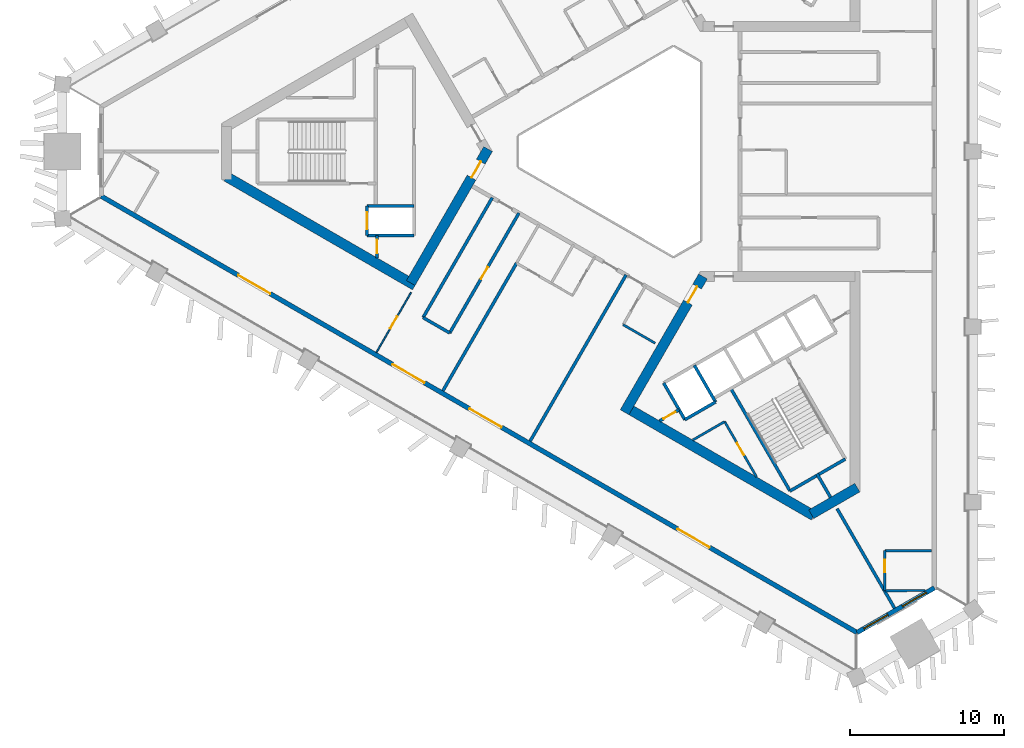
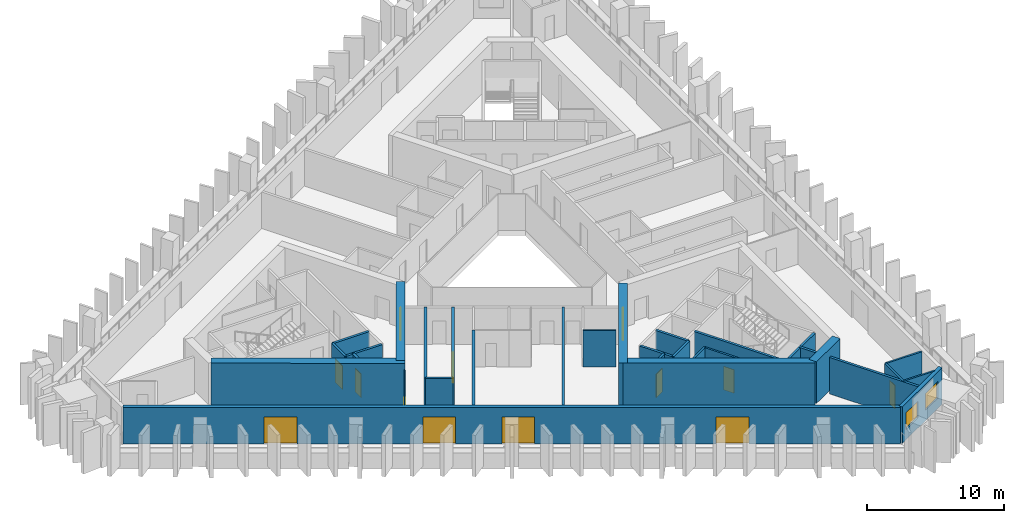
# One storey, part 2 of 10: 31 walls, 13 doors, 2 windows, 15 openings.
"""IFC4 building model written with IfcOpenShell, lengths in metres."""

from ifc_helpers import new_model, si_unit, direction, frame, frame_2d, origin, place, context, subcontext, project, spatial, rectangle, extrude, material, layer, layer_set, type_object, element, fill, save


model = new_model("IFC4")

# Units and contexts
model_context = context("Model", 3, precision=1e-05, world=origin(), true_north=direction((0.0, 1.0)))
body_context = subcontext(model_context, "Body", "Model", "MODEL_VIEW")
ifc_project = project(units=[si_unit("LENGTHUNIT", "METRE"), si_unit("AREAUNIT", "SQUARE_METRE"), si_unit("VOLUMEUNIT", "CUBIC_METRE"), si_unit("PLANEANGLEUNIT", "RADIAN"), si_unit("MASSUNIT", "GRAM", prefix="KILO")], contexts=[model_context])

# Site, building, storey
site_placement = place(None, origin())
site = spatial("IfcSite", under=ifc_project, at=site_placement, CompositionType="ELEMENT")
building_placement = place(site_placement, origin())
building = spatial("IfcBuilding", under=site, at=building_placement, Name="Jabali Bay Hotel Tower and Convention Centre", CompositionType="ELEMENT")
storey_placement = place(building_placement, frame((0.0, 0.0, 117.89990234375)))
storey = spatial("IfcBuildingStorey", under=building, at=storey_placement, Name="L28", CompositionType="ELEMENT", Elevation=117.89990234375)

# Wall, opening, door
ifc_material_1 = material(Name="Concrete C40", Category="concrete")
ifc_layer_1 = layer(ifc_material_1, 0.199951171875)
ifc_layer_set_1 = layer_set([ifc_layer_1], Name="Concrete C40")
wall_type_1 = type_object("IfcWallType", Name="Core partition wall 200", PredefinedType="PARTITIONING", material=ifc_layer_set_1)
wall_1_placement = place(storey_placement, frame((58.5, 74.550048828125, 0.0), z_axis=(0.0, 0.0, 1.0), x_axis=(0.0, -1.0, 0.0)))
wall_1 = element("IfcWall", 1, at=wall_1_placement, inside=storey, type_object=wall_type_1, Name="Core wall 0.9 L28", PredefinedType="PARTITIONING", context=body_context, shape_type="SweptSolid", body=[
    extrude(rectangle(XDim=1.455078125, YDim=0.199951171875, at=frame_2d((0.7275390625, 0.0))), origin(), (0.0, 0.0, 1.0), 3.25),
])
opening_1_placement = place(wall_1_placement, frame((0.277587890625, 0.0, 0.0)))
opening_1 = element("IfcOpeningElement", 2, at=opening_1_placement, cuts=wall_1, Name="Opening D624", PredefinedType="OPENING", context=body_context, shape_type="SweptSolid", body=[
    extrude(rectangle(XDim=0.89990234375, YDim=2.10009765625, at=frame_2d((0.449951171875, 1.050048828125))), frame((0.0, 0.1103515625, 0.0), z_axis=(0.0, -1.0, 0.0), x_axis=(1.0, 0.0, 0.0)), (0.0, 0.0, 1.0), 0.220947265625),
])
ifc_material_2 = material(Name="Fire-rated steel door", Category="steel")
door_type_1 = type_object("IfcDoorType", Name="Vestibule fire door 900 x 2100", OperationType="NOTDEFINED", PredefinedType="NOTDEFINED", material=ifc_material_2)
door_1_placement = place(opening_1_placement, origin())
door_1 = element("IfcDoor", 3, at=door_1_placement, inside=storey, type_object=door_type_1, Name="Vestibule fire door D624", OperationType="SINGLE_SWING_LEFT", OverallHeight=2.10009765625, OverallWidth=0.89990234375, PredefinedType="NOTDEFINED", context=body_context, shape_type="SweptSolid", body=[
    extrude(rectangle(XDim=0.89990234375, YDim=2.10009765625, at=frame_2d((0.449951171875, 1.050048828125))), frame((0.0, 0.02490234375, 0.0), z_axis=(0.0, -1.0, 0.0), x_axis=(1.0, 0.0, 0.0)), (0.0, 0.0, 1.0), 0.050048828125),
])
fill(opening_1, door_1)

# Wall
wall_2_placement = place(storey_placement, frame((87.090087890625, 59.0595703125, 0.0), z_axis=(0.0, 0.0, 1.0), x_axis=(0.499944938281, -0.866057191349, 0.0)))
element("IfcWall", 4, at=wall_2_placement, inside=storey, type_object=wall_type_1, Name="Core wall 2.5 L28", PredefinedType="PARTITIONING", context=body_context, shape_type="SweptSolid", body=[
    extrude(rectangle(XDim=1.773193359375, YDim=0.199951171875, at=frame_2d((0.88671875, 0.0))), origin(), (0.0, 0.0, 1.0), 3.25),
])

# Wall, opening, door
wall_3_placement = place(storey_placement, frame((76.869873046875, 62.489013671875, 0.0), z_axis=(0.0, 0.0, 1.0), x_axis=(0.866054810376, 0.49994906283, 0.0)))
wall_3 = element("IfcWall", 5, at=wall_3_placement, inside=storey, type_object=wall_type_1, Name="Core wall 2.11 L28", PredefinedType="PARTITIONING", context=body_context, shape_type="SweptSolid", body=[
    extrude(rectangle(XDim=1.461181640625, YDim=0.199951171875, at=frame_2d((0.73046875, 0.0))), origin(), (0.0, 0.0, 1.0), 3.25),
])
opening_2_placement = place(wall_3_placement, frame((0.280517578125, 0.0, 0.0)))
opening_2 = element("IfcOpeningElement", 6, at=opening_2_placement, cuts=wall_3, Name="Opening D637", PredefinedType="OPENING", context=body_context, shape_type="SweptSolid", body=[
    extrude(rectangle(XDim=0.89990234375, YDim=2.10009765625, at=frame_2d((0.449951171875, 1.050048828125))), frame((0.0, 0.1103515625, 0.0), z_axis=(0.0, -1.0, 0.0), x_axis=(1.0, 0.0, 0.0)), (0.0, 0.0, 1.0), 0.220947265625),
])
door_2_placement = place(opening_2_placement, origin())
door_2 = element("IfcDoor", 7, at=door_2_placement, inside=storey, type_object=door_type_1, Name="Vestibule fire door D637", OperationType="SINGLE_SWING_LEFT", OverallHeight=2.10009765625, OverallWidth=0.89990234375, PredefinedType="NOTDEFINED", context=body_context, shape_type="SweptSolid", body=[
    extrude(rectangle(XDim=0.89990234375, YDim=2.10009765625, at=frame_2d((0.449951171875, 1.050048828125))), frame((0.0, 0.02490234375, 0.0), z_axis=(0.0, -1.0, 0.0), x_axis=(1.0, 0.0, 0.0)), (0.0, 0.0, 1.0), 0.050048828125),
])
fill(opening_2, door_2)

ifc_material_3 = material(Name="Fire-rated board partition")
ifc_layer_2 = layer(ifc_material_3, 0.14990234375)
ifc_layer_set_2 = layer_set([ifc_layer_2], Name="Fire-rated board partition")
wall_type_2 = type_object("IfcWallType", Name="Core room partition 150", PredefinedType="PARTITIONING", material=ifc_layer_set_2)
wall_4_placement = place(storey_placement, frame((81.093994140625, 62.445068359375, 0.0), z_axis=(0.0, 0.0, 1.0), x_axis=(0.499975520016, -0.866039536849, 0.0)))
wall_4 = element("IfcWall", 8, at=wall_4_placement, inside=storey, type_object=wall_type_2, Name="Core wall 2.1 L28", PredefinedType="PARTITIONING", context=body_context, shape_type="SweptSolid", body=[
    extrude(rectangle(XDim=4.147705078125, YDim=0.14990234375, at=frame_2d((2.07373046875, 0.0))), origin(), (0.0, 0.0, 1.0), 3.25),
])
opening_3_placement = place(wall_4_placement, frame((1.596435546875, 0.0, 0.0)))
opening_3 = element("IfcOpeningElement", 9, at=opening_3_placement, cuts=wall_4, Name="Opening D639", PredefinedType="OPENING", context=body_context, shape_type="SweptSolid", body=[
    extrude(rectangle(XDim=0.89990234375, YDim=2.10009765625, at=frame_2d((0.449951171875, 1.050048828125))), frame((0.0, 0.08544921875, 0.0), z_axis=(0.0, -1.0, 0.0), x_axis=(1.0, 0.0, 0.0)), (0.0, 0.0, 1.0), 0.1708984375),
])
door_type_2 = type_object("IfcDoorType", Name="Core room door 900 x 2100", OperationType="NOTDEFINED", PredefinedType="NOTDEFINED", material=ifc_material_2)
door_3_placement = place(opening_3_placement, origin())
door_3 = element("IfcDoor", 10, at=door_3_placement, inside=storey, type_object=door_type_2, Name="Core room door D639", OperationType="SINGLE_SWING_LEFT", OverallHeight=2.10009765625, OverallWidth=0.89990234375, PredefinedType="NOTDEFINED", context=body_context, shape_type="SweptSolid", body=[
    extrude(rectangle(XDim=0.89990234375, YDim=2.10009765625, at=frame_2d((0.449951171875, 1.050048828125))), frame((0.0, 0.02490234375, 0.0), z_axis=(0.0, -1.0, 0.0), x_axis=(1.0, 0.0, 0.0)), (0.0, 0.0, 1.0), 0.050048828125),
])
fill(opening_3, door_3)

# Walls
wall_5_placement = place(storey_placement, frame((79.02001953125, 61.247802734375, 0.0), z_axis=(0.0, 0.0, 1.0), x_axis=(0.866051471819, 0.499954846121, 0.0)))
element("IfcWall", 11, at=wall_5_placement, inside=storey, type_object=wall_type_2, Name="Core wall 2.16 L28", PredefinedType="PARTITIONING", context=body_context, shape_type="SweptSolid", body=[
    extrude(rectangle(XDim=2.394775390625, YDim=0.14990234375, at=frame_2d((1.197265625, 0.0))), origin(), (0.0, 0.0, 1.0), 3.25),
])
ifc_layer_3 = layer(ifc_material_1, 0.199951171875)
ifc_layer_set_3 = layer_set([ifc_layer_3], Name="Concrete C40")
wall_type_3 = type_object("IfcWallType", Name="Core stair wall 200", PredefinedType="SOLIDWALL", material=ifc_layer_set_3)
for number, where, z_axis, x_axis, name in (
    (12, (60.89990234375, 76.449951171875, 0.0), (0.0, 0.0, 1.0), (-1.0, 0.0, 0.0), "Core wall 0.5 L28"),
    (13, (60.89990234375, 74.550048828125, 0.0), (0.0, 0.0, 1.0), (-1.0, 0.0, 0.0), "Core wall 0.6 L28"),
):
    element("IfcWall", number, at=place(storey_placement, frame(where, z_axis=z_axis, x_axis=x_axis)), inside=storey, type_object=wall_type_3, Name=name, PredefinedType="SOLIDWALL", context=body_context, shape_type="SweptSolid", body=[
        extrude(rectangle(XDim=3.0498046875, YDim=0.199951171875, at=frame_2d((1.52490234375, 0.0))), origin(), (0.0, 0.0, 1.0), 3.25),
    ])

# Wall, opening, door
wall_6_placement = place(storey_placement, frame((57.85009765625, 76.449951171875, 0.0), z_axis=(0.0, 0.0, 1.0), x_axis=(0.0, -1.0, 0.0)))
wall_6 = element("IfcWall", 14, at=wall_6_placement, inside=storey, type_object=wall_type_3, Name="Core wall 0.11 L28", PredefinedType="SOLIDWALL", context=body_context, shape_type="SweptSolid", body=[
    extrude(rectangle(XDim=1.89990234375, YDim=0.199951171875, at=frame_2d((0.949951171875, 0.0))), origin(), (0.0, 0.0, 1.0), 3.25),
])
opening_4_placement = place(wall_6_placement, frame((0.39990234375, 0.0, 0.0)))
opening_4 = element("IfcOpeningElement", 15, at=opening_4_placement, cuts=wall_6, Name="Opening LD5-L28", PredefinedType="OPENING", context=body_context, shape_type="SweptSolid", body=[
    extrude(rectangle(XDim=1.10009765625, YDim=2.10009765625, at=frame_2d((0.550048828125, 1.050048828125))), frame((0.0, 0.1103515625, 0.0), z_axis=(0.0, -1.0, 0.0), x_axis=(1.0, 0.0, 0.0)), (0.0, 0.0, 1.0), 0.220947265625),
])
ifc_material_4 = material(Name="Stainless steel landing door", Category="steel")
door_type_3 = type_object("IfcDoorType", Name="Landing door 1100 x 2100", OperationType="NOTDEFINED", PredefinedType="NOTDEFINED", material=ifc_material_4)
door_4_placement = place(opening_4_placement, origin())
door_4 = element("IfcDoor", 16, at=door_4_placement, inside=storey, type_object=door_type_3, Name="Landing doors LD5-L28", OperationType="SLIDING_TO_RIGHT", OverallHeight=2.10009765625, OverallWidth=1.10009765625, PredefinedType="NOTDEFINED", context=body_context, shape_type="SweptSolid", body=[
    extrude(rectangle(XDim=1.10009765625, YDim=2.10009765625, at=frame_2d((0.550048828125, 1.050048828125))), frame((0.0, 0.02490234375, 0.0), z_axis=(0.0, -1.0, 0.0), x_axis=(1.0, 0.0, 0.0)), (0.0, 0.0, 1.0), 0.050048828125),
])
fill(opening_4, door_4)

# Walls
for number, where, z_axis, x_axis, name in (
    (17, (77.13525390625, 64.95166015625, 0.0), (0.0, 0.0, 1.0), (0.499996545922, -0.866027397988, 0.0), "Core wall 2.0 L28"),
    (18, (79.127197265625, 66.1015625, 0.0), (0.0, 0.0, 1.0), (0.499996545922, -0.866027397988, 0.0), "Core wall 2.2 L28"),
):
    element("IfcWall", number, at=place(storey_placement, frame(where, z_axis=z_axis, x_axis=x_axis)), inside=storey, type_object=wall_type_3, Name=name, PredefinedType="SOLIDWALL", context=body_context, shape_type="SweptSolid", body=[
        extrude(rectangle(XDim=2.75, YDim=0.199951171875, at=frame_2d((1.375, 0.0))), origin(), (0.0, 0.0, 1.0), 3.25),
    ])
wall_7_placement = place(storey_placement, frame((81.492919921875, 64.603759765625, 0.0), z_axis=(0.0, 0.0, 1.0), x_axis=(0.500006057782, -0.866021906294, 0.0)))
element("IfcWall", 19, at=wall_7_placement, inside=storey, type_object=wall_type_3, Name="Core wall 2.3 L28", PredefinedType="SOLIDWALL", context=body_context, shape_type="SweptSolid", body=[
    extrude(rectangle(XDim=7.7001953125, YDim=0.199951171875, at=frame_2d((3.85009765625, 0.0))), origin(), (0.0, 0.0, 1.0), 3.25),
])
wall_8_placement = place(storey_placement, frame((78.51025390625, 62.570068359375, 0.0), z_axis=(0.0, 0.0, 1.0), x_axis=(0.866053019151, 0.499952165731, 0.0)))
element("IfcWall", 20, at=wall_8_placement, inside=storey, type_object=wall_type_3, Name="Core wall 2.14 L28", PredefinedType="SOLIDWALL", context=body_context, shape_type="SweptSolid", body=[
    extrude(rectangle(XDim=2.300048828125, YDim=0.199951171875, at=frame_2d((1.14990234375, 0.0))), origin(), (0.0, 0.0, 1.0), 3.25),
])
wall_9_placement = place(storey_placement, frame((85.343017578125, 57.935302734375, 0.0), z_axis=(0.0, 0.0, 1.0), x_axis=(0.866004344652, 0.500036473714, 0.0)))
element("IfcWall", 21, at=wall_9_placement, inside=storey, type_object=wall_type_3, Name="Core wall 2.17 L28", PredefinedType="SOLIDWALL", context=body_context, shape_type="SweptSolid", body=[
    extrude(rectangle(XDim=4.150146484375, YDim=0.199951171875, at=frame_2d((2.0751953125, 0.0))), origin(), (0.0, 0.0, 1.0), 3.25),
])
ifc_material_5 = material(Name="Concrete C60", Category="concrete")
ifc_layer_4 = layer(ifc_material_5, 0.64990234375)
ifc_layer_set_4 = layer_set([ifc_layer_4], Name="Concrete C60")
wall_type_4 = type_object("IfcWallType", Name="Core wall 650", PredefinedType="SHEAR", material=ifc_layer_set_4)
wall_10_placement = place(storey_placement, frame((48.721923828125, 78.364990234375, 0.0), z_axis=(0.0, 0.0, 1.0), x_axis=(0.866020036431, -0.500009296414, 0.0)))
element("IfcWall", 22, at=wall_10_placement, inside=storey, type_object=wall_type_4, Name="Core wall 1.4 L28", PredefinedType="SHEAR", context=body_context, shape_type="SweptSolid", body=[
    extrude(rectangle(XDim=14.145751953125, YDim=0.64990234375, at=frame_2d((7.07275390625, 0.0))), origin(), (0.0, 0.0, 1.0), 3.7001953125),
])

# Wall, opening, door
wall_11_placement = place(storey_placement, frame((60.691162109375, 71.45458984375, 0.0), z_axis=(0.0, 0.0, 1.0), x_axis=(0.499983075189, 0.866035175108, 0.0)))
wall_11 = element("IfcWall", 23, at=wall_11_placement, inside=storey, type_object=wall_type_4, Name="Core wall 1.5 L28", PredefinedType="SHEAR", context=body_context, shape_type="SweptSolid", body=[
    extrude(rectangle(XDim=10.054931640625, YDim=0.64990234375, at=frame_2d((5.02734375, 0.0))), origin(), (0.0, 0.0, 1.0), 3.7001953125),
])
opening_5_placement = place(wall_11_placement, frame((7.905029296875, 0.0, 0.0)))
opening_5 = element("IfcOpeningElement", 24, at=opening_5_placement, cuts=wall_11, Name="Opening D622", PredefinedType="OPENING", context=body_context, shape_type="SweptSolid", body=[
    extrude(rectangle(XDim=1.199951171875, YDim=2.10009765625, at=frame_2d((0.60009765625, 1.050048828125))), frame((0.0, 0.33544921875, 0.0), z_axis=(0.0, -1.0, 0.0), x_axis=(1.0, 0.0, 0.0)), (0.0, 0.0, 1.0), 0.6708984375),
])
door_type_4 = type_object("IfcDoorType", Name="Corridor end fire door 1200 x 2100", OperationType="NOTDEFINED", PredefinedType="NOTDEFINED", material=ifc_material_2)
door_5_placement = place(opening_5_placement, origin())
door_5 = element("IfcDoor", 25, at=door_5_placement, inside=storey, type_object=door_type_4, Name="Corridor end fire door D622", OperationType="SINGLE_SWING_LEFT", OverallHeight=2.10009765625, OverallWidth=1.199951171875, PredefinedType="NOTDEFINED", context=body_context, shape_type="SweptSolid", body=[
    extrude(rectangle(XDim=1.199951171875, YDim=2.10009765625, at=frame_2d((0.60009765625, 1.050048828125))), frame((0.0, 0.02490234375, 0.0), z_axis=(0.0, -1.0, 0.0), x_axis=(1.0, 0.0, 0.0)), (0.0, 0.0, 1.0), 0.050048828125),
])
fill(opening_5, door_5)

wall_12_placement = place(storey_placement, frame((79.687744140625, 71.880859375, 0.0), z_axis=(0.0, 0.0, 1.0), x_axis=(-0.49999822179, -0.866026430432, 0.0)))
wall_12 = element("IfcWall", 26, at=wall_12_placement, inside=storey, type_object=wall_type_4, Name="Core wall 3.1 L28", PredefinedType="SHEAR", context=body_context, shape_type="SweptSolid", body=[
    extrude(rectangle(XDim=10.1923828125, YDim=0.64990234375, at=frame_2d((5.09619140625, 0.0))), origin(), (0.0, 0.0, 1.0), 3.7001953125),
])
opening_6_placement = place(wall_12_placement, frame((0.762451171875, 0.0, 0.0)))
opening_6 = element("IfcOpeningElement", 27, at=opening_6_placement, cuts=wall_12, Name="Opening D634", PredefinedType="OPENING", context=body_context, shape_type="SweptSolid", body=[
    extrude(rectangle(XDim=1.199951171875, YDim=2.10009765625, at=frame_2d((0.60009765625, 1.050048828125))), frame((0.0, 0.33544921875, 0.0), z_axis=(0.0, -1.0, 0.0), x_axis=(1.0, 0.0, 0.0)), (0.0, 0.0, 1.0), 0.6708984375),
])
door_6_placement = place(opening_6_placement, origin())
door_6 = element("IfcDoor", 28, at=door_6_placement, inside=storey, type_object=door_type_4, Name="Corridor end fire door D634", OperationType="SINGLE_SWING_RIGHT", OverallHeight=2.10009765625, OverallWidth=1.199951171875, PredefinedType="NOTDEFINED", context=body_context, shape_type="SweptSolid", body=[
    extrude(rectangle(XDim=1.199951171875, YDim=2.10009765625, at=frame_2d((0.60009765625, 1.050048828125))), frame((0.0, 0.02490234375, 0.0), z_axis=(0.0, -1.0, 0.0), x_axis=(1.0, 0.0, 0.0)), (0.0, 0.0, 1.0), 0.050048828125),
])
fill(opening_6, door_6)

# Walls
wall_13_placement = place(storey_placement, frame((74.75390625, 63.33544921875, 0.0), z_axis=(0.0, 0.0, 1.0), x_axis=(0.866026250715, -0.49999853307, 0.0)))
element("IfcWall", 29, at=wall_13_placement, inside=storey, type_object=wall_type_4, Name="Core wall 3.2 L28", PredefinedType="SHEAR", context=body_context, shape_type="SweptSolid", body=[
    extrude(rectangle(XDim=14.00830078125, YDim=0.64990234375, at=frame_2d((7.004150390625, 0.0))), origin(), (0.0, 0.0, 1.0), 3.7001953125),
])
wall_14_placement = place(storey_placement, frame((86.72314453125, 56.425048828125, 0.0), z_axis=(0.0, 0.0, 1.0), x_axis=(0.866031550877, 0.499989352773, 0.0)))
element("IfcWall", 30, at=wall_14_placement, inside=storey, type_object=wall_type_4, Name="Core wall 3.3 L28", PredefinedType="SHEAR", context=body_context, shape_type="SweptSolid", body=[
    extrude(rectangle(XDim=3.45751953125, YDim=0.64990234375, at=frame_2d((1.728759765625, 0.0))), origin(), (0.0, 0.0, 1.0), 3.7001953125),
])

# Wall, openings, windows
ifc_layer_5 = layer(ifc_material_1, 0.300048828125)
ifc_layer_set_5 = layer_set([ifc_layer_5], Name="Concrete C40")
wall_type_5 = type_object("IfcWallType", Name="External wall 300", PredefinedType="SOLIDWALL", material=ifc_layer_set_5)
wall_15_placement = place(storey_placement, frame((94.725341796875, 51.638671875, 0.0), z_axis=(0.0, 0.0, 1.0), x_axis=(-0.866016065929, -0.50001617329, 0.0)))
wall_15 = element("IfcWall", 31, at=wall_15_placement, inside=storey, type_object=wall_type_5, Name="External wall south-east chamfer L28", PredefinedType="SOLIDWALL", context=body_context, shape_type="SweptSolid", body=[
    extrude(rectangle(XDim=5.803955078125, YDim=0.300048828125, at=frame_2d((2.90185546875, 0.0))), origin(), (0.0, 0.0, 1.0), 3.25),
])
opening_7_placement = place(wall_15_placement, frame((0.601318359375, 0.0, 0.89990234375)))
opening_7 = element("IfcOpeningElement", 32, at=opening_7_placement, cuts=wall_15, Name="Opening W1", PredefinedType="OPENING", context=body_context, shape_type="SweptSolid", body=[
    extrude(rectangle(XDim=1.800048828125, YDim=1.5, at=frame_2d((0.89990234375, 0.75))), frame((0.0, 0.16064453125, 0.0), z_axis=(0.0, -1.0, 0.0), x_axis=(1.0, 0.0, 0.0)), (0.0, 0.0, 1.0), 0.321044921875),
])
opening_8_placement = place(wall_15_placement, frame((3.495849609375, 0.0, 0.89990234375)))
opening_8 = element("IfcOpeningElement", 33, at=opening_8_placement, cuts=wall_15, Name="Opening W1", PredefinedType="OPENING", context=body_context, shape_type="SweptSolid", body=[
    extrude(rectangle(XDim=1.800048828125, YDim=1.5, at=frame_2d((0.89990234375, 0.75))), frame((0.0, 0.16064453125, 0.0), z_axis=(0.0, -1.0, 0.0), x_axis=(1.0, 0.0, 0.0)), (0.0, 0.0, 1.0), 0.321044921875),
])
ifc_material_6 = material(Name="Glass", Category="glass")
window_type = type_object("IfcWindowType", Name="Window 1800 x 1500", PartitioningType="SINGLE_PANEL", PredefinedType="WINDOW", material=ifc_material_6)
window_1_placement = place(opening_7_placement, origin())
window_1 = element("IfcWindow", 34, at=window_1_placement, inside=storey, type_object=window_type, Name="Window 2801", OverallHeight=1.5, OverallWidth=1.800048828125, PartitioningType="SINGLE_PANEL", PredefinedType="WINDOW", context=body_context, shape_type="SweptSolid", body=[
    extrude(rectangle(XDim=1.800048828125, YDim=1.5, at=frame_2d((0.89990234375, 0.75))), frame((0.0, 0.030029296875, 0.0), z_axis=(0.0, -1.0, 0.0), x_axis=(1.0, 0.0, 0.0)), (0.0, 0.0, 1.0), 0.06005859375),
])
fill(opening_7, window_1)
window_2_placement = place(opening_8_placement, origin())
window_2 = element("IfcWindow", 35, at=window_2_placement, inside=storey, type_object=window_type, Name="Window 2812", OverallHeight=1.5, OverallWidth=1.800048828125, PartitioningType="SINGLE_PANEL", PredefinedType="WINDOW", context=body_context, shape_type="SweptSolid", body=[
    extrude(rectangle(XDim=1.800048828125, YDim=1.5, at=frame_2d((0.89990234375, 0.75))), frame((0.0, 0.030029296875, 0.0), z_axis=(0.0, -1.0, 0.0), x_axis=(1.0, 0.0, 0.0)), (0.0, 0.0, 1.0), 0.06005859375),
])
fill(opening_8, window_2)

# Wall, openings, doors
wall_16_placement = place(storey_placement, frame((89.698974609375, 48.736572265625, 0.0), z_axis=(0.0, 0.0, 1.0), x_axis=(-0.866023671094, 0.500003001095, 0.0)))
wall_16 = element("IfcWall", 36, at=wall_16_placement, inside=storey, type_object=wall_type_5, Name="External wall south-west face L28", PredefinedType="SOLIDWALL", context=body_context, shape_type="SweptSolid", body=[
    extrude(rectangle(XDim=56.722900390625, YDim=0.300048828125, at=frame_2d((28.361328125, 0.0))), origin(), (0.0, 0.0, 1.0), 3.25),
])
opening_9_placement = place(wall_16_placement, frame((32.46142578125, 0.0, 0.0)))
opening_9 = element("IfcOpeningElement", 37, at=opening_9_placement, cuts=wall_16, Name="Opening SD1", PredefinedType="OPENING", context=body_context, shape_type="SweptSolid", body=[
    extrude(rectangle(XDim=2.39990234375, YDim=2.39990234375, at=frame_2d((1.199951171875, 1.199951171875))), frame((0.0, 0.16064453125, 0.0), z_axis=(0.0, -1.0, 0.0), x_axis=(1.0, 0.0, 0.0)), (0.0, 0.0, 1.0), 0.321044921875),
])
opening_10_placement = place(wall_16_placement, frame((44.038818359375, 0.0, 0.0)))
opening_10 = element("IfcOpeningElement", 38, at=opening_10_placement, cuts=wall_16, Name="Opening SD1", PredefinedType="OPENING", context=body_context, shape_type="SweptSolid", body=[
    extrude(rectangle(XDim=2.39990234375, YDim=2.39990234375, at=frame_2d((1.199951171875, 1.199951171875))), frame((0.0, 0.16064453125, 0.0), z_axis=(0.0, -1.0, 0.0), x_axis=(1.0, 0.0, 0.0)), (0.0, 0.0, 1.0), 0.321044921875),
])
opening_11_placement = place(wall_16_placement, frame((11.06689453125, 0.0, 0.0)))
opening_11 = element("IfcOpeningElement", 39, at=opening_11_placement, cuts=wall_16, Name="Opening SD1", PredefinedType="OPENING", context=body_context, shape_type="SweptSolid", body=[
    extrude(rectangle(XDim=2.39990234375, YDim=2.39990234375, at=frame_2d((1.199951171875, 1.199951171875))), frame((0.0, 0.16064453125, 0.0), z_axis=(0.0, -1.0, 0.0), x_axis=(1.0, 0.0, 0.0)), (0.0, 0.0, 1.0), 0.321044921875),
])
opening_12_placement = place(wall_16_placement, frame((26.69384765625, 0.0, 0.0)))
opening_12 = element("IfcOpeningElement", 40, at=opening_12_placement, cuts=wall_16, Name="Opening SD1", PredefinedType="OPENING", context=body_context, shape_type="SweptSolid", body=[
    extrude(rectangle(XDim=2.39990234375, YDim=2.39990234375, at=frame_2d((1.199951171875, 1.199951171875))), frame((0.0, 0.16064453125, 0.0), z_axis=(0.0, -1.0, 0.0), x_axis=(1.0, 0.0, 0.0)), (0.0, 0.0, 1.0), 0.321044921875),
])
door_type_5 = type_object("IfcDoorType", Name="Loggia sliding door 2400 x 2400", OperationType="NOTDEFINED", PredefinedType="NOTDEFINED", material=ifc_material_6)
door_7_placement = place(opening_9_placement, origin())
door_7 = element("IfcDoor", 41, at=door_7_placement, inside=storey, type_object=door_type_5, Name="Loggia sliding door 2809", OperationType="SLIDING_TO_LEFT", OverallHeight=2.39990234375, OverallWidth=2.39990234375, PredefinedType="NOTDEFINED", context=body_context, shape_type="SweptSolid", body=[
    extrude(rectangle(XDim=2.39990234375, YDim=2.39990234375, at=frame_2d((1.199951171875, 1.199951171875))), frame((0.0, 0.02490234375, 0.0), z_axis=(0.0, -1.0, 0.0), x_axis=(1.0, 0.0, 0.0)), (0.0, 0.0, 1.0), 0.050048828125),
])
fill(opening_9, door_7)
door_8_placement = place(opening_10_placement, origin())
door_8 = element("IfcDoor", 42, at=door_8_placement, inside=storey, type_object=door_type_5, Name="Loggia sliding door 2809", OperationType="SLIDING_TO_RIGHT", OverallHeight=2.39990234375, OverallWidth=2.39990234375, PredefinedType="NOTDEFINED", context=body_context, shape_type="SweptSolid", body=[
    extrude(rectangle(XDim=2.39990234375, YDim=2.39990234375, at=frame_2d((1.199951171875, 1.199951171875))), frame((0.0, 0.02490234375, 0.0), z_axis=(0.0, -1.0, 0.0), x_axis=(1.0, 0.0, 0.0)), (0.0, 0.0, 1.0), 0.050048828125),
])
fill(opening_10, door_8)
door_9_placement = place(opening_11_placement, origin())
door_9 = element("IfcDoor", 43, at=door_9_placement, inside=storey, type_object=door_type_5, Name="Loggia sliding door 2812", OperationType="SLIDING_TO_LEFT", OverallHeight=2.39990234375, OverallWidth=2.39990234375, PredefinedType="NOTDEFINED", context=body_context, shape_type="SweptSolid", body=[
    extrude(rectangle(XDim=2.39990234375, YDim=2.39990234375, at=frame_2d((1.199951171875, 1.199951171875))), frame((0.0, 0.02490234375, 0.0), z_axis=(0.0, -1.0, 0.0), x_axis=(1.0, 0.0, 0.0)), (0.0, 0.0, 1.0), 0.050048828125),
])
fill(opening_11, door_9)
door_10_placement = place(opening_12_placement, origin())
door_10 = element("IfcDoor", 44, at=door_10_placement, inside=storey, type_object=door_type_5, Name="Loggia sliding door 2811", OperationType="SLIDING_TO_RIGHT", OverallHeight=2.39990234375, OverallWidth=2.39990234375, PredefinedType="NOTDEFINED", context=body_context, shape_type="SweptSolid", body=[
    extrude(rectangle(XDim=2.39990234375, YDim=2.39990234375, at=frame_2d((1.199951171875, 1.199951171875))), frame((0.0, 0.02490234375, 0.0), z_axis=(0.0, -1.0, 0.0), x_axis=(1.0, 0.0, 0.0)), (0.0, 0.0, 1.0), 0.050048828125),
])
fill(opening_12, door_10)

# Wall, opening, door
ifc_material_7 = material(Name="Plasterboard on steel stud", Category="steel")
ifc_layer_6 = layer(ifc_material_7, 0.10009765625)
ifc_layer_set_6 = layer_set([ifc_layer_6], Name="Plasterboard on steel stud")
wall_type_6 = type_object("IfcWallType", Name="Partition 100 unit", PredefinedType="PARTITIONING", material=ifc_layer_set_6)
wall_17_placement = place(storey_placement, frame((60.71044921875, 70.83837890625, 0.0), z_axis=(0.0, 0.0, 1.0), x_axis=(-0.499957405522, -0.866049994321, 0.0)))
wall_17 = element("IfcWall", 45, at=wall_17_placement, inside=storey, type_object=wall_type_6, Name="Partition P02 L28 031", PredefinedType="PARTITIONING", context=body_context, shape_type="SweptSolid", body=[
    extrude(rectangle(XDim=4.49755859375, YDim=0.10009765625, at=frame_2d((2.248779296875, 0.0))), origin(), (0.0, 0.0, 1.0), 3.25),
])
opening_13_placement = place(wall_17_placement, frame((1.799072265625, 0.0, 0.0)))
opening_13 = element("IfcOpeningElement", 46, at=opening_13_placement, cuts=wall_17, Name="Opening 2818", PredefinedType="OPENING", context=body_context, shape_type="SweptSolid", body=[
    extrude(rectangle(XDim=0.89990234375, YDim=2.10009765625, at=frame_2d((0.449951171875, 1.050048828125))), frame((0.0, 0.060546875, 0.0), z_axis=(0.0, -1.0, 0.0), x_axis=(1.0, 0.0, 0.0)), (0.0, 0.0, 1.0), 0.12109375),
])
ifc_material_8 = material(Name="Timber", Category="wood")
door_type_6 = type_object("IfcDoorType", Name="Internal door 900 x 2100", OperationType="NOTDEFINED", PredefinedType="NOTDEFINED", material=ifc_material_8)
door_11_placement = place(opening_13_placement, origin())
door_11 = element("IfcDoor", 47, at=door_11_placement, inside=storey, type_object=door_type_6, Name="Door 2818", OperationType="SINGLE_SWING_RIGHT", OverallHeight=2.10009765625, OverallWidth=0.89990234375, PredefinedType="NOTDEFINED", context=body_context, shape_type="SweptSolid", body=[
    extrude(rectangle(XDim=0.89990234375, YDim=2.10009765625, at=frame_2d((0.449951171875, 1.050048828125))), frame((0.0, 0.02490234375, 0.0), z_axis=(0.0, -1.0, 0.0), x_axis=(1.0, 0.0, 0.0)), (0.0, 0.0, 1.0), 0.050048828125),
])
fill(opening_13, door_11)

# Wall
ifc_layer_7 = layer(ifc_material_7, 0.14990234375)
ifc_layer_set_7 = layer_set([ifc_layer_7], Name="Plasterboard on steel stud")
wall_type_7 = type_object("IfcWallType", Name="Partition 150 wet", PredefinedType="PARTITIONING", material=ifc_layer_set_7)
wall_18_placement = place(storey_placement, frame((94.129150390625, 51.46630859375, 0.0), z_axis=(0.0, 0.0, 1.0), x_axis=(-0.999994712675, -0.003251864252, 0.0)))
element("IfcWall", 48, at=wall_18_placement, inside=storey, type_object=wall_type_7, Name="Partition P03 L28 007", PredefinedType="PARTITIONING", context=body_context, shape_type="SweptSolid", body=[
    extrude(rectangle(XDim=2.627685546875, YDim=0.14990234375, at=frame_2d((1.31396484375, 0.0))), origin(), (0.0, 0.0, 1.0), 3.25),
])

# Wall, opening, door
wall_19_placement = place(storey_placement, frame((91.50146484375, 51.457763671875, 0.0), z_axis=(0.0, 0.0, 1.0), x_axis=(0.0, 1.0, 0.0)))
wall_19 = element("IfcWall", 49, at=wall_19_placement, inside=storey, type_object=wall_type_7, Name="Partition P03 L28 008", PredefinedType="PARTITIONING", context=body_context, shape_type="SweptSolid", body=[
    extrude(rectangle(XDim=2.599853515625, YDim=0.14990234375, at=frame_2d((1.2998046875, 0.0))), origin(), (0.0, 0.0, 1.0), 3.25),
])
opening_14_placement = place(wall_19_placement, frame((1.199951171875, 0.0, 0.0)))
opening_14 = element("IfcOpeningElement", 50, at=opening_14_placement, cuts=wall_19, Name="Opening 2803", PredefinedType="OPENING", context=body_context, shape_type="SweptSolid", body=[
    extrude(rectangle(XDim=0.800048828125, YDim=2.10009765625, at=frame_2d((0.39990234375, 1.050048828125))), frame((0.0, 0.08544921875, 0.0), z_axis=(0.0, -1.0, 0.0), x_axis=(1.0, 0.0, 0.0)), (0.0, 0.0, 1.0), 0.1708984375),
])
door_type_7 = type_object("IfcDoorType", Name="En-suite door 800 x 2100", OperationType="NOTDEFINED", PredefinedType="NOTDEFINED", material=ifc_material_8)
door_12_placement = place(opening_14_placement, origin())
door_12 = element("IfcDoor", 51, at=door_12_placement, inside=storey, type_object=door_type_7, Name="Door 2803", OperationType="SINGLE_SWING_RIGHT", OverallHeight=2.10009765625, OverallWidth=0.800048828125, PredefinedType="NOTDEFINED", context=body_context, shape_type="SweptSolid", body=[
    extrude(rectangle(XDim=0.800048828125, YDim=2.10009765625, at=frame_2d((0.39990234375, 1.050048828125))), frame((0.0, 0.02490234375, 0.0), z_axis=(0.0, -1.0, 0.0), x_axis=(1.0, 0.0, 0.0)), (0.0, 0.0, 1.0), 0.050048828125),
])
fill(opening_14, door_12)

# Walls
wall_20_placement = place(storey_placement, frame((91.50146484375, 54.0576171875, 0.0), z_axis=(0.0, 0.0, 1.0), x_axis=(1.0, 0.0, 0.0)))
element("IfcWall", 52, at=wall_20_placement, inside=storey, type_object=wall_type_7, Name="Partition P03 L28 009", PredefinedType="PARTITIONING", context=body_context, shape_type="SweptSolid", body=[
    extrude(rectangle(XDim=3.033935546875, YDim=0.14990234375, at=frame_2d((1.51708984375, 0.0))), origin(), (0.0, 0.0, 1.0), 3.25),
])
wall_21_placement = place(storey_placement, frame((76.57763671875, 67.542236328125, 0.0), z_axis=(0.0, 0.0, 1.0), x_axis=(-0.866038271014, 0.499977712642, 0.0)))
element("IfcWall", 53, at=wall_21_placement, inside=storey, type_object=wall_type_7, Name="Partition P03 L28 045", PredefinedType="PARTITIONING", context=body_context, shape_type="SweptSolid", body=[
    extrude(rectangle(XDim=2.40087890625, YDim=0.14990234375, at=frame_2d((1.200439453125, 0.0))), origin(), (0.0, 0.0, 1.0), 3.25),
])
ifc_layer_8 = layer(ifc_material_7, 0.199951171875)
ifc_layer_set_8 = layer_set([ifc_layer_8], Name="Plasterboard on steel stud")
wall_type_8 = type_object("IfcWallType", Name="Partition 200 party", PredefinedType="PARTITIONING", material=ifc_layer_set_8)
wall_22_placement = place(storey_placement, frame((88.40185546875, 56.789306640625, 0.0), z_axis=(0.0, 0.0, 1.0), x_axis=(0.500010887197, -0.866019117967, 0.0)))
element("IfcWall", 54, at=wall_22_placement, inside=storey, type_object=wall_type_8, Name="Partition P01 L28 010", PredefinedType="PARTITIONING", context=body_context, shape_type="SweptSolid", body=[
    extrude(rectangle(XDim=7.473388671875, YDim=0.199951171875, at=frame_2d((3.73681640625, 0.0))), origin(), (0.0, 0.0, 1.0), 3.25),
])

# Wall, opening, door
wall_23_placement = place(storey_placement, frame((67.72607421875, 76.001220703125, 0.0), z_axis=(0.0, 0.0, 1.0), x_axis=(-0.5000018851, -0.866024315419, 0.0)))
wall_23 = element("IfcWall", 55, at=wall_23_placement, inside=storey, type_object=wall_type_8, Name="Partition P01 L28 032", PredefinedType="PARTITIONING", context=body_context, shape_type="SweptSolid", body=[
    extrude(rectangle(XDim=9.0, YDim=0.199951171875, at=frame_2d((4.5, 0.0))), origin(), (0.0, 0.0, 1.0), 3.25),
])
opening_15_placement = place(wall_23_placement, frame((4.050048828125, 0.0, 0.0)))
opening_15 = element("IfcOpeningElement", 56, at=opening_15_placement, cuts=wall_23, Name="Opening 2820", PredefinedType="OPENING", context=body_context, shape_type="SweptSolid", body=[
    extrude(rectangle(XDim=0.89990234375, YDim=2.10009765625, at=frame_2d((0.449951171875, 1.050048828125))), frame((0.0, 0.1103515625, 0.0), z_axis=(0.0, -1.0, 0.0), x_axis=(1.0, 0.0, 0.0)), (0.0, 0.0, 1.0), 0.220947265625),
])
door_13_placement = place(opening_15_placement, origin())
door_13 = element("IfcDoor", 57, at=door_13_placement, inside=storey, type_object=door_type_6, Name="Door 2820", OperationType="SINGLE_SWING_LEFT", OverallHeight=2.10009765625, OverallWidth=0.89990234375, PredefinedType="NOTDEFINED", context=body_context, shape_type="SweptSolid", body=[
    extrude(rectangle(XDim=0.89990234375, YDim=2.10009765625, at=frame_2d((0.449951171875, 1.050048828125))), frame((0.0, 0.02490234375, 0.0), z_axis=(0.0, -1.0, 0.0), x_axis=(1.0, 0.0, 0.0)), (0.0, 0.0, 1.0), 0.050048828125),
])
fill(opening_15, door_13)

# Walls
wall_24_placement = place(storey_placement, frame((63.22607421875, 68.20703125, 0.0), z_axis=(0.0, 0.0, 1.0), x_axis=(-0.866041268327, 0.499972520799, 0.0)))
element("IfcWall", 58, at=wall_24_placement, inside=storey, type_object=wall_type_8, Name="Partition P01 L28 033", PredefinedType="PARTITIONING", context=body_context, shape_type="SweptSolid", body=[
    extrude(rectangle(XDim=2.0, YDim=0.199951171875, at=frame_2d((1.0, 0.0))), origin(), (0.0, 0.0, 1.0), 3.25),
])
wall_25_placement = place(storey_placement, frame((61.493896484375, 69.20703125, 0.0), z_axis=(0.0, 0.0, 1.0), x_axis=(0.5000018851, 0.866024315419, 0.0)))
element("IfcWall", 59, at=wall_25_placement, inside=storey, type_object=wall_type_8, Name="Partition P01 L28 034", PredefinedType="PARTITIONING", context=body_context, shape_type="SweptSolid", body=[
    extrude(rectangle(XDim=9.0, YDim=0.199951171875, at=frame_2d((4.5, 0.0))), origin(), (0.0, 0.0, 1.0), 3.25),
])
wall_26_placement = place(storey_placement, frame((62.78173828125, 64.44921875, 0.0), z_axis=(0.0, 0.0, 1.0), x_axis=(0.500007865211, 0.866020862755, 0.0)))
element("IfcWall", 60, at=wall_26_placement, inside=storey, type_object=wall_type_8, Name="Partition P01 L28 035", PredefinedType="PARTITIONING", context=body_context, shape_type="SweptSolid", body=[
    extrude(rectangle(XDim=9.576416015625, YDim=0.199951171875, at=frame_2d((4.7880859375, 0.0))), origin(), (0.0, 0.0, 1.0), 3.25),
])
wall_27_placement = place(storey_placement, frame((68.451904296875, 61.17578125, 0.0), z_axis=(0.0, 0.0, 1.0), x_axis=(0.499988393093, 0.866032104932, 0.0)))
element("IfcWall", 61, at=wall_27_placement, inside=storey, type_object=wall_type_8, Name="Partition P01 L28 043", PredefinedType="PARTITIONING", context=body_context, shape_type="SweptSolid", body=[
    extrude(rectangle(XDim=12.476318359375, YDim=0.199951171875, at=frame_2d((6.23828125, 0.0))), origin(), (0.0, 0.0, 1.0), 3.25),
])

save(model, "model.ifc")
